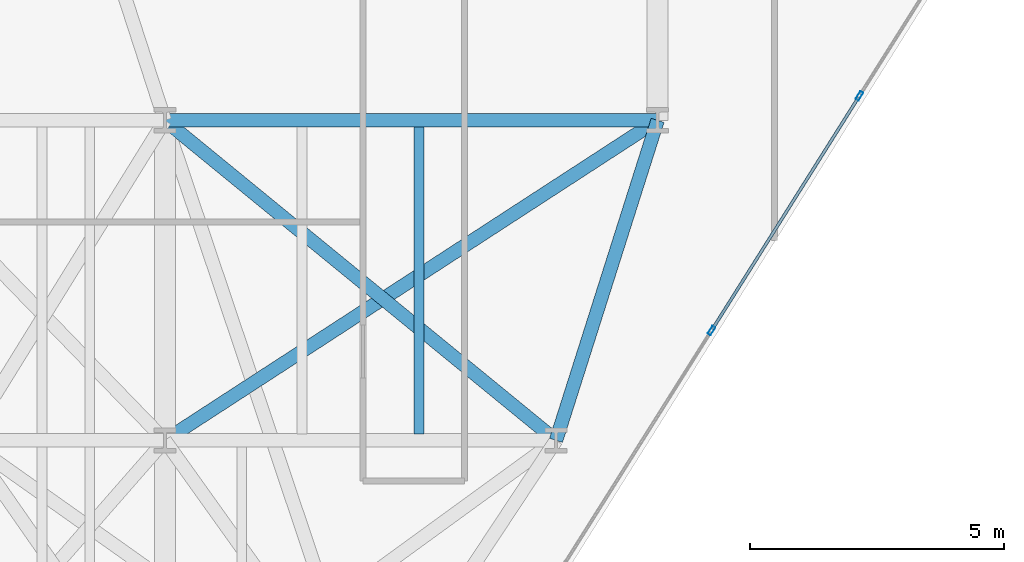
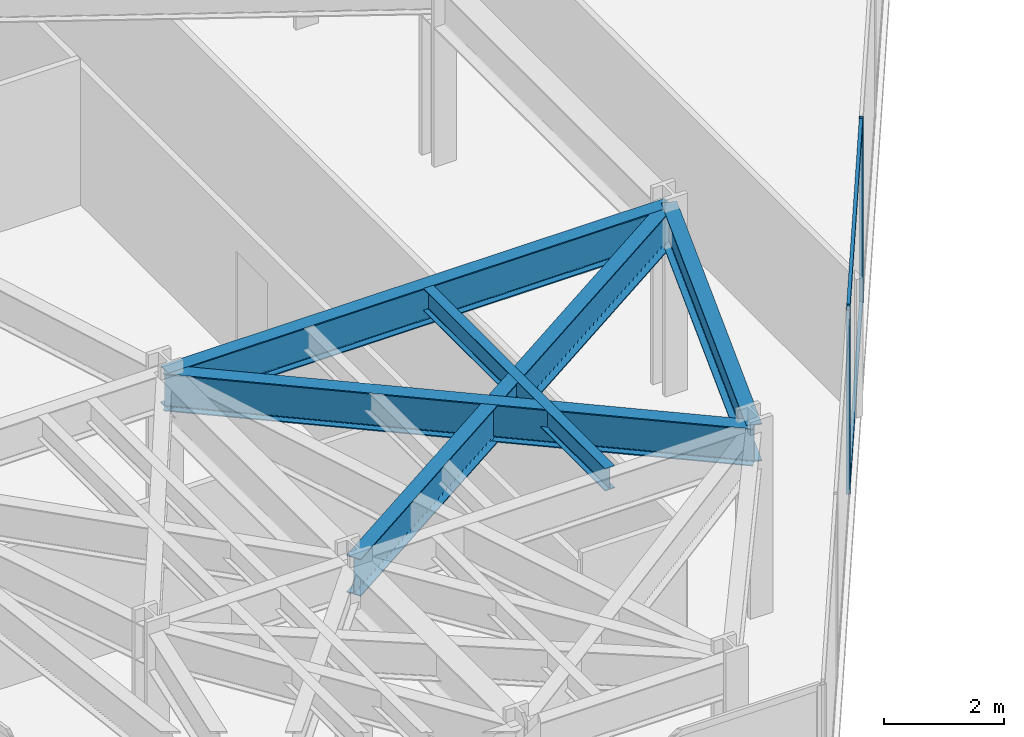
# One storey, part 6 of 24: 5 beams, 4 members, 1 element without a shape of its own.
"""IFC4 building model written with IfcOpenShell, lengths in metres."""

from ifc_helpers import new_model, si_unit, direction, frame, origin, origin_2d, place, context, subcontext, project, spatial, hollow_rectangle, i_section, extrude, material, layer, layer_set, material_profile, profile_set, type_object, element, aggregate, save


model = new_model("IFC4")

# Units and contexts
model_context = context("Model", 3, precision=1e-05, world=origin(), true_north=direction((0.0, 1.0)))
body_context = subcontext(model_context, "Body", "Model", "MODEL_VIEW")
ifc_project = project(units=[si_unit("LENGTHUNIT", "METRE"), si_unit("AREAUNIT", "SQUARE_METRE"), si_unit("VOLUMEUNIT", "CUBIC_METRE"), si_unit("PLANEANGLEUNIT", "RADIAN"), si_unit("MASSUNIT", "GRAM", prefix="KILO")], contexts=[model_context])

# Site, building, storey
site_placement = place(None, origin())
site = spatial("IfcSite", under=ifc_project, at=site_placement, CompositionType="ELEMENT")
building_placement = place(site_placement, origin())
building = spatial("IfcBuilding", under=site, at=building_placement, Name="Kravanh Interchange Tower", CompositionType="ELEMENT")
storey_placement = place(building_placement, frame((0.0, 0.0, 69.5)))
storey = spatial("IfcBuildingStorey", under=building, at=storey_placement, Name="L16", CompositionType="ELEMENT", Elevation=69.5)

# Curtain wall, members
ifc_material_1 = material(Name="Anodised Bronze Aluminium", Category="aluminium")
ifc_layer = layer(ifc_material_1, 0.179931640625)
ifc_layer_set = layer_set([ifc_layer], Name="Unitised Curtain Wall System CW-Z1 Lower Office")
curtain_wall_type = type_object("IfcCurtainWallType", Name="Unitised Curtain Wall System CW-Z1 Lower Office", PredefinedType="NOTDEFINED", material=ifc_layer_set)
curtain_wall_placement = place(storey_placement, origin())
curtain_wall = element("IfcCurtainWall", 1, at=curtain_wall_placement, inside=storey, type_object=curtain_wall_type, Name="L16 Unitised Curtain Wall CW-L16-05", PredefinedType="NOTDEFINED")
ifc_material_2 = material(Name="Anodised Bronze Aluminium", Category="aluminium")
ifc_material_profile_1 = material_profile(ifc_material_2, hollow_rectangle(XDim=0.070068359375, YDim=0.179931640625, WallThickness=0.00390625, at=origin_2d()), Name="ALU70X180X4")
ifc_profile_set_1 = profile_set([ifc_material_profile_1], Name="Anodised Bronze Aluminium")
member_type_1 = type_object("IfcMemberType", Name="Curtain Wall Mullion ALU70X180X4 Bronze", PredefinedType="MULLION", material=ifc_profile_set_1)
member_1_placement = place(storey_placement, frame((31.173583984375, 14.98291015625, 0.0), z_axis=(0.0, 0.0, 1.0), x_axis=(0.845925530786, -0.53330103728, 0.0)))
member_1 = element("IfcMember", 2, at=member_1_placement, type_object=member_type_1, Name="CW-Z1 mullion 3", PredefinedType="MULLION", context=body_context, shape_type="SweptSolid", body=[
    extrude(hollow_rectangle(XDim=0.070068359375, YDim=0.179931640625, WallThickness=0.00390625, at=origin_2d()), origin(), (0.0, 0.0, 1.0), 3.739990234375),
])
member_2_placement = place(storey_placement, frame((28.26025390625, 10.362060546875, 0.0), z_axis=(0.0, 0.0, 1.0), x_axis=(0.845925530786, -0.53330103728, 0.0)))
member_2 = element("IfcMember", 3, at=member_2_placement, type_object=member_type_1, Name="CW-Z1 mullion 4", PredefinedType="MULLION", context=body_context, shape_type="SweptSolid", body=[
    extrude(hollow_rectangle(XDim=0.070068359375, YDim=0.179931640625, WallThickness=0.00390625, at=origin_2d()), origin(), (0.0, 0.0, 1.0), 3.739990234375),
])
ifc_material_3 = material(Name="Anodised Bronze Aluminium", Category="aluminium")
ifc_material_profile_2 = material_profile(ifc_material_3, hollow_rectangle(XDim=0.06005859375, YDim=0.139892578125, WallThickness=0.00390625, at=origin_2d()), Name="ALU60X140X4")
ifc_profile_set_2 = profile_set([ifc_material_profile_2], Name="Anodised Bronze Aluminium")
member_type_2 = type_object("IfcMemberType", Name="Curtain Wall Transom ALU60X140X4 Bronze", PredefinedType="USERDEFINED", material=ifc_profile_set_2)
member_3_placement = place(storey_placement, frame((31.15478515625, 14.953369140625, 0.030029296875), z_axis=(-0.533279090152, -0.845939366626, 0.0), x_axis=(0.845939366626, -0.533279090152, 0.0)))
member_3 = element("IfcMember", 4, at=member_3_placement, type_object=member_type_2, Name="CW-Z1 transom 3.1", ObjectType="TRANSOM", PredefinedType="USERDEFINED", context=body_context, shape_type="SweptSolid", body=[
    extrude(hollow_rectangle(XDim=0.06005859375, YDim=0.139892578125, WallThickness=0.00390625, at=origin_2d()), origin(), (0.0, 0.0, 1.0), 5.392578125),
])
member_4_placement = place(storey_placement, frame((31.15478515625, 14.953369140625, 3.7099609375), z_axis=(-0.533279090152, -0.845939366626, 0.0), x_axis=(0.845939366626, -0.533279090152, 0.0)))
member_4 = element("IfcMember", 5, at=member_4_placement, type_object=member_type_2, Name="CW-Z1 transom 3.2", ObjectType="TRANSOM", PredefinedType="USERDEFINED", context=body_context, shape_type="SweptSolid", body=[
    extrude(hollow_rectangle(XDim=0.06005859375, YDim=0.139892578125, WallThickness=0.00390625, at=origin_2d()), origin(), (0.0, 0.0, 1.0), 5.392578125),
])
aggregate(curtain_wall, [member_1, member_2, member_3, member_4])

# Beams
ifc_material_4 = material(Name="Structural Steel S355", Category="steel")
ifc_material_profile_3 = material_profile(ifc_material_4, i_section(OverallWidth=0.18994140625, OverallDepth=0.45703125, WebThickness=0.009033203125, FlangeThickness=0.014404296875, FilletRadius=0.01806640625, at=origin_2d()), Name="W18X50")
ifc_profile_set_3 = profile_set([ifc_material_profile_3], Name="Structural Steel S355")
beam_type_1 = type_object("IfcBeamType", Name="Floor Joist W18X50 Structural Steel S355", PredefinedType="JOIST", material=ifc_profile_set_3)
beam_1_placement = place(storey_placement, frame((22.501953125, 8.32861328125, 3.511474609375), z_axis=(0.0, 1.0, 0.0), x_axis=(-1.0, 0.0, 0.0)))
element("IfcBeam", 6, at=beam_1_placement, inside=storey, type_object=beam_type_1, Name="L16 Secondary Floor Joist 10", PredefinedType="JOIST", context=body_context, shape_type="SweptSolid", body=[
    extrude(i_section(OverallWidth=0.18994140625, OverallDepth=0.45703125, WebThickness=0.009033203125, FlangeThickness=0.014404296875, FilletRadius=0.01806640625, at=origin_2d()), origin(), (0.0, 0.0, 1.0), 6.04296875),
])
ifc_material_5 = material(Name="Structural Steel S355", Category="steel")
ifc_material_profile_4 = material_profile(ifc_material_5, i_section(OverallWidth=0.26708984375, OverallDepth=0.761962890625, WebThickness=0.014404296875, FlangeThickness=0.021484375, FilletRadius=0.02490234375, at=origin_2d()), Name="W30X116")
ifc_profile_set_4 = profile_set([ifc_material_profile_4], Name="Structural Steel S355")
beam_type_2 = type_object("IfcBeamType", Name="Floor Spandrel W30X116 Structural Steel S355", PredefinedType="SPANDREL", material=ifc_profile_set_4)
beam_2_placement = place(storey_placement, frame((17.5, 8.199951171875, 3.35888671875), z_axis=(0.838637911458, 0.544689318295, 0.0), x_axis=(-0.544689318295, 0.838637911458, 0.0)))
element("IfcBeam", 7, at=beam_2_placement, inside=storey, type_object=beam_type_2, Name="L16 Perimeter Spandrel 139", PredefinedType="SPANDREL", context=body_context, shape_type="SweptSolid", body=[
    extrude(i_section(OverallWidth=0.26708984375, OverallDepth=0.761962890625, WebThickness=0.014404296875, FlangeThickness=0.021484375, FilletRadius=0.02490234375, at=origin_2d()), origin(), (0.0, 0.0, 1.0), 11.56640625),
])
beam_3_placement = place(storey_placement, frame((25.199951171875, 8.199951171875, 3.35888671875), z_axis=(0.30257700201, 0.953124943465, 0.0), x_axis=(-0.953124943465, 0.30257700201, 0.0)))
element("IfcBeam", 8, at=beam_3_placement, inside=storey, type_object=beam_type_2, Name="L16 Perimeter Spandrel 140", PredefinedType="SPANDREL", context=body_context, shape_type="SweptSolid", body=[
    extrude(i_section(OverallWidth=0.26708984375, OverallDepth=0.761962890625, WebThickness=0.014404296875, FlangeThickness=0.021484375, FilletRadius=0.02490234375, at=origin_2d()), origin(), (0.0, 0.0, 1.0), 6.60986328125),
])
beam_4_placement = place(storey_placement, frame((25.199951171875, 8.199951171875, 3.35888671875), z_axis=(-0.773952925799, 0.633243135491, 0.0), x_axis=(-0.633243135491, -0.773952925799, 0.0)))
element("IfcBeam", 9, at=beam_4_placement, inside=storey, type_object=beam_type_2, Name="L16 Perimeter Spandrel 141", PredefinedType="SPANDREL", context=body_context, shape_type="SweptSolid", body=[
    extrude(i_section(OverallWidth=0.26708984375, OverallDepth=0.761962890625, WebThickness=0.014404296875, FlangeThickness=0.021484375, FilletRadius=0.02490234375, at=origin_2d()), origin(), (0.0, 0.0, 1.0), 9.948974609375),
])
beam_5_placement = place(storey_placement, frame((17.5, 14.5, 3.35888671875), z_axis=(1.0, 0.0, 0.0), x_axis=(0.0, 1.0, 0.0)))
element("IfcBeam", 10, at=beam_5_placement, inside=storey, type_object=beam_type_2, Name="L16 Perimeter Spandrel 144", PredefinedType="SPANDREL", context=body_context, shape_type="SweptSolid", body=[
    extrude(i_section(OverallWidth=0.26708984375, OverallDepth=0.761962890625, WebThickness=0.014404296875, FlangeThickness=0.021484375, FilletRadius=0.02490234375, at=origin_2d()), origin(), (0.0, 0.0, 1.0), 9.699951171875),
])

save(model, "model.ifc")
